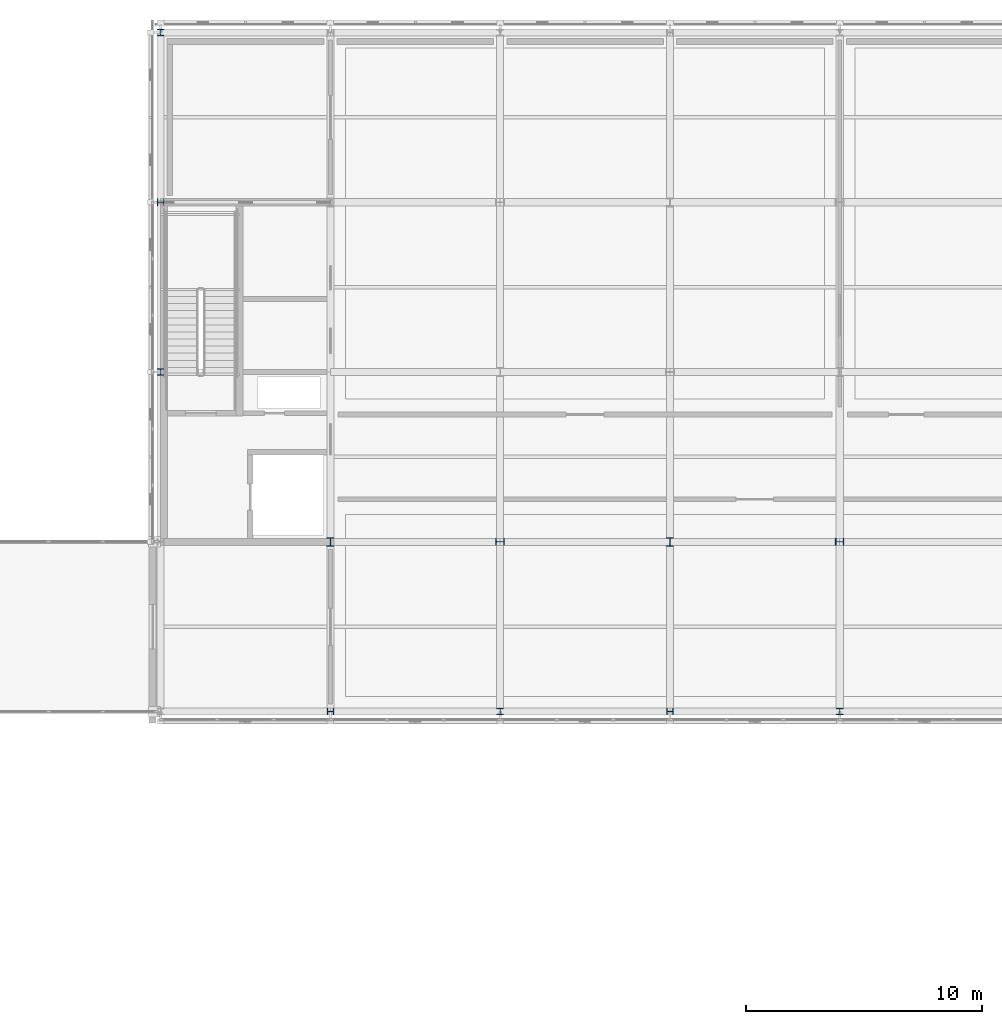
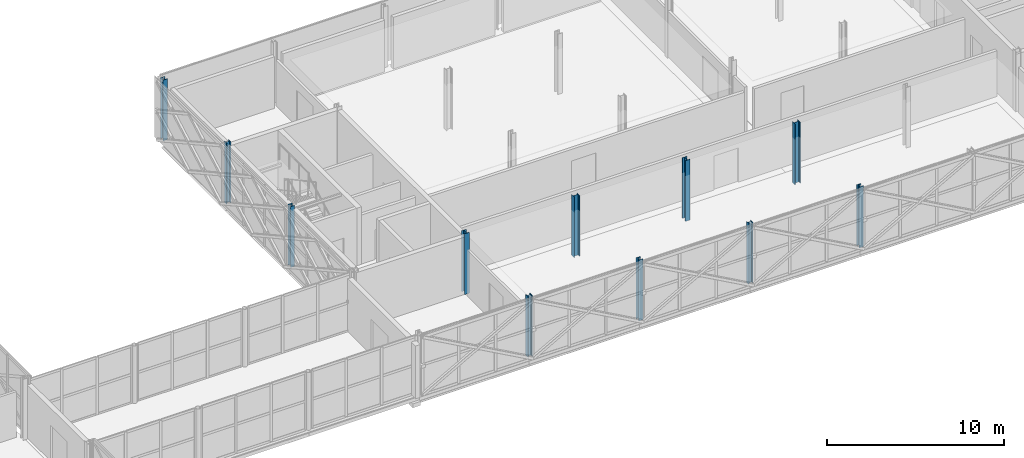
# One storey, part 9 of 103: 11 columns.
"""IFC4 building model written with IfcOpenShell, lengths in metres."""

from ifc_helpers import new_model, si_unit, direction, frame, origin, origin_2d, place, context, subcontext, project, spatial, i_section, extrude, material, material_profile, profile_set, type_object, element, save


model = new_model("IFC4")

# Units and contexts
model_context = context("Model", 3, precision=1e-05, world=origin(), true_north=direction((0.0, 1.0)))
body_context = subcontext(model_context, "Body", "Model", "MODEL_VIEW")
ifc_project = project(units=[si_unit("LENGTHUNIT", "METRE"), si_unit("AREAUNIT", "SQUARE_METRE"), si_unit("VOLUMEUNIT", "CUBIC_METRE"), si_unit("PLANEANGLEUNIT", "RADIAN"), si_unit("MASSUNIT", "GRAM", prefix="KILO")], contexts=[model_context])

# Site, building, storey
site_placement = place(None, origin())
site = spatial("IfcSite", under=ifc_project, at=site_placement, CompositionType="ELEMENT")
building_placement = place(site_placement, origin())
building = spatial("IfcBuilding", under=site, at=building_placement, Name="Zlatovets Crest Museum", CompositionType="ELEMENT")
storey_placement = place(building_placement, frame((0.0, 0.0, 12.89990234375)))
storey = spatial("IfcBuildingStorey", under=building, at=storey_placement, Name="L03", CompositionType="ELEMENT", Elevation=12.89990234375)

# Columns
ifc_material = material(Name="Structural steel S355J2", Category="steel")
ifc_material_profile_1 = material_profile(ifc_material, i_section(OverallWidth=0.300048828125, OverallDepth=0.360107421875, WebThickness=0.012451171875, FlangeThickness=0.0224609375, FilletRadius=0.027099609375, at=origin_2d()), Name="HEB 360")
ifc_profile_set_1 = profile_set([ifc_material_profile_1], Name="Structural steel S355J2")
column_type_1 = type_object("IfcColumnType", Name="Col_C-08", PredefinedType="COLUMN", material=ifc_profile_set_1)
for number, where, z_axis, x_axis, name in (
    (1, (64.800048828125, 93.60009765625, 0.0), (0.0, 0.0, 1.0), (1.0, 0.0, 0.0), "V1 L03 Column (64.8, 93.6)"),
    (2, (72.0, 93.60009765625, 0.0), (0.0, 0.0, 1.0), (0.0, 1.0, 0.0), "V1 L03 Column (72.0, 93.6)"),
    (3, (79.199951171875, 93.60009765625, 0.0), (0.0, 0.0, 1.0), (1.0, 0.0, 0.0), "V1 L03 Column (79.2, 93.6)"),
    (4, (86.39990234375, 93.60009765625, 0.0), (0.0, 0.0, 1.0), (0.0, 1.0, 0.0), "V1 L03 Column (86.4, 93.6)"),
):
    element("IfcColumn", number, at=place(storey_placement, frame(where, z_axis=z_axis, x_axis=x_axis)), inside=storey, type_object=column_type_1, Name=name, PredefinedType="COLUMN", context=body_context, shape_type="SweptSolid", body=[
        extrude(i_section(OverallWidth=0.300048828125, OverallDepth=0.360107421875, WebThickness=0.012451171875, FlangeThickness=0.0224609375, FilletRadius=0.027099609375, at=origin_2d()), origin(), (0.0, 0.0, 1.0), 4.2001953125),
    ])
ifc_material_profile_2 = material_profile(ifc_material, i_section(OverallWidth=0.280029296875, OverallDepth=0.280029296875, WebThickness=0.010498046875, FlangeThickness=0.01806640625, FilletRadius=0.02392578125, at=origin_2d()), Name="HEB 280")
ifc_profile_set_2 = profile_set([ifc_material_profile_2], Name="Structural steel S355J2")
column_type_2 = type_object("IfcColumnType", Name="Col_C-17", PredefinedType="COLUMN", material=ifc_profile_set_2)
for number, where, z_axis, x_axis, name in (
    (5, (57.60009765625, 100.800048828125, 0.0), (0.0, 0.0, 1.0), (1.0, 0.0, 0.0), "V1 L03 Column (57.6, 100.8)"),
    (6, (57.60009765625, 108.0, 0.0), (0.0, 0.0, 1.0), (0.0, 1.0, 0.0), "V1 L03 Column (57.6, 108.0)"),
    (7, (57.60009765625, 115.199951171875, 0.0), (0.0, 0.0, 1.0), (1.0, 0.0, 0.0), "V1 L03 Column (57.6, 115.2)"),
    (8, (64.800048828125, 86.39990234375, 0.0), (0.0, 0.0, 1.0), (0.0, 1.0, 0.0), "V1 L03 Column (64.8, 86.4)"),
    (9, (72.0, 86.39990234375, 0.0), (0.0, 0.0, 1.0), (1.0, 0.0, 0.0), "V1 L03 Column (72.0, 86.4)"),
    (10, (79.199951171875, 86.39990234375, 0.0), (0.0, 0.0, 1.0), (0.0, 1.0, 0.0), "V1 L03 Column (79.2, 86.4)"),
    (11, (86.39990234375, 86.39990234375, 0.0), (0.0, 0.0, 1.0), (1.0, 0.0, 0.0), "V1 L03 Column (86.4, 86.4)"),
):
    element("IfcColumn", number, at=place(storey_placement, frame(where, z_axis=z_axis, x_axis=x_axis)), inside=storey, type_object=column_type_2, Name=name, PredefinedType="COLUMN", context=body_context, shape_type="SweptSolid", body=[
        extrude(i_section(OverallWidth=0.280029296875, OverallDepth=0.280029296875, WebThickness=0.010498046875, FlangeThickness=0.01806640625, FilletRadius=0.02392578125, at=origin_2d()), origin(), (0.0, 0.0, 1.0), 4.2001953125),
    ])

save(model, "model.ifc")
